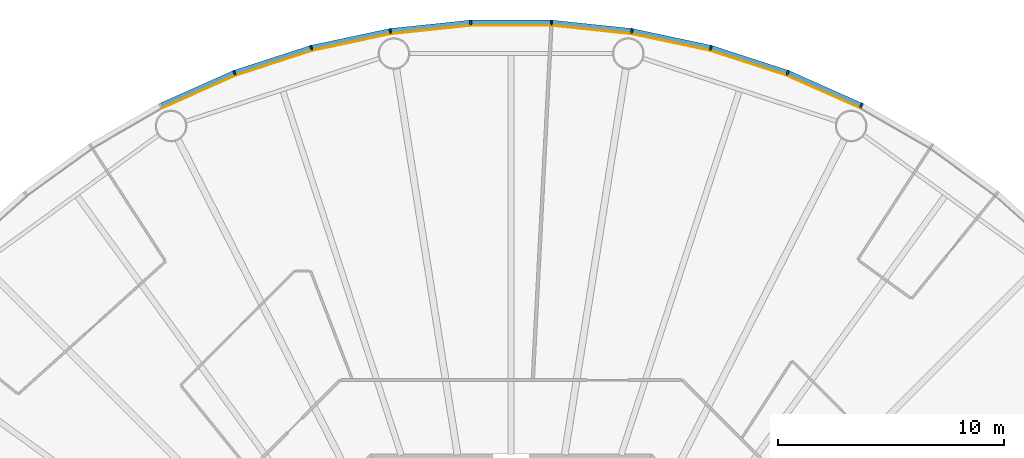
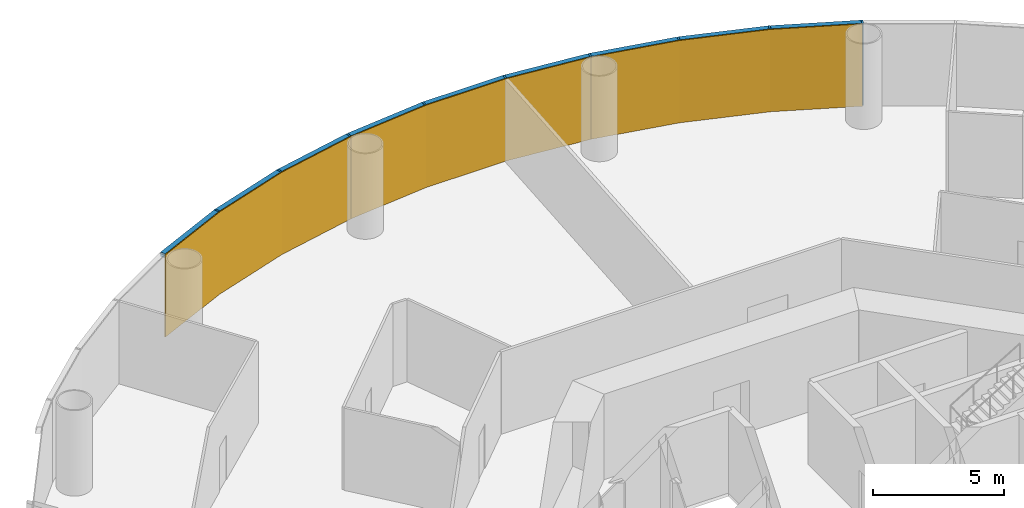
# One storey, part 12 of 13: 18 members, 3 curtain walls.
"""IFC4 building model written with IfcOpenShell, lengths in metres."""

from ifc_helpers import new_model, si_unit, direction, frame, origin, origin_2d, place, context, subcontext, project, spatial, polyline, rectangle, outline, extrude, material, layer, layer_set, material_profile, profile_set, type_object, element, aggregate, save


model = new_model("IFC4")

# Units and contexts
model_context = context("Model", 3, precision=1e-05, world=origin(), true_north=direction((0.0, 1.0)))
body_context = subcontext(model_context, "Body", "Model", "MODEL_VIEW")
ifc_project = project(units=[si_unit("LENGTHUNIT", "METRE"), si_unit("AREAUNIT", "SQUARE_METRE"), si_unit("VOLUMEUNIT", "CUBIC_METRE"), si_unit("PLANEANGLEUNIT", "RADIAN"), si_unit("MASSUNIT", "GRAM", prefix="KILO")], contexts=[model_context])

# Member
ifc_material_1 = material(Name="Anodised aluminium", Category="aluminium")
ifc_material_profile_1 = material_profile(ifc_material_1, rectangle(XDim=0.074951171875, YDim=0.219970703125, at=origin_2d()), Name="Mullion 75 x 220 mm anodised aluminium")
ifc_profile_set_1 = profile_set([ifc_material_profile_1], Name="Anodised aluminium")
member_type_1 = type_object("IfcMemberType", Name="Mullion 75 x 220 mm anodised aluminium", PredefinedType="MULLION", material=ifc_profile_set_1)
site_placement = place(None, origin())
building_placement = place(site_placement, origin())
storey_placement = place(building_placement, frame((0.0, 0.0, 58.0)))
member_1_placement = place(storey_placement, frame((105.485595703125, 110.392333984375, 0.0), z_axis=(0.0, 0.0, 1.0), x_axis=(-0.891006524188, 0.45399049974, 0.0)))
member_1 = element("IfcMember", 1, at=member_1_placement, type_object=member_type_1, Name="MULLION L12-09", PredefinedType="MULLION", context=body_context, shape_type="SweptSolid", body=[
    extrude(rectangle(XDim=0.074951171875, YDim=0.219970703125, at=origin_2d()), origin(), (0.0, 0.0, 1.0), 3.85009765625),
])

member_2_placement = place(storey_placement, frame((102.223876953125, 111.844482421875, 0.0), z_axis=(0.0, 0.0, 1.0), x_axis=(-0.933580426497, 0.358367949545, 0.0)))
member_2 = element("IfcMember", 2, at=member_2_placement, type_object=member_type_1, Name="MULLION L12-10", PredefinedType="MULLION", context=body_context, shape_type="SweptSolid", body=[
    extrude(rectangle(XDim=0.074951171875, YDim=0.219970703125, at=origin_2d()), origin(), (0.0, 0.0, 1.0), 3.85009765625),
])

member_3_placement = place(storey_placement, frame((98.828369140625, 112.94775390625, 0.0), z_axis=(0.0, 0.0, 1.0), x_axis=(-0.965925826289, 0.258819045103, 0.0)))
member_3 = element("IfcMember", 3, at=member_3_placement, type_object=member_type_1, Name="MULLION L12-11", PredefinedType="MULLION", context=body_context, shape_type="SweptSolid", body=[
    extrude(rectangle(XDim=0.074951171875, YDim=0.219970703125, at=origin_2d()), origin(), (0.0, 0.0, 1.0), 3.85009765625),
])

member_4_placement = place(storey_placement, frame((95.3359375, 113.68994140625, 0.0), z_axis=(0.0, 0.0, 1.0), x_axis=(-0.987688340595, 0.15643446504, 0.0)))
member_4 = element("IfcMember", 4, at=member_4_placement, type_object=member_type_1, Name="MULLION L12-12", PredefinedType="MULLION", context=body_context, shape_type="SweptSolid", body=[
    extrude(rectangle(XDim=0.074951171875, YDim=0.219970703125, at=origin_2d()), origin(), (0.0, 0.0, 1.0), 3.85009765625),
])

member_5_placement = place(storey_placement, frame((91.78515625, 114.063232421875, 0.0), z_axis=(0.0, 0.0, 1.0), x_axis=(-0.998629534755, 0.052335956243, 0.0)))
member_5 = element("IfcMember", 5, at=member_5_placement, type_object=member_type_1, Name="MULLION L12-13", PredefinedType="MULLION", context=body_context, shape_type="SweptSolid", body=[
    extrude(rectangle(XDim=0.074951171875, YDim=0.219970703125, at=origin_2d()), origin(), (0.0, 0.0, 1.0), 3.85009765625),
])

member_6_placement = place(storey_placement, frame((88.21484375, 114.063232421875, 0.0), z_axis=(0.0, 0.0, 1.0), x_axis=(-0.998629534755, -0.052335956243, 0.0)))
member_6 = element("IfcMember", 6, at=member_6_placement, type_object=member_type_1, Name="MULLION L12-14", PredefinedType="MULLION", context=body_context, shape_type="SweptSolid", body=[
    extrude(rectangle(XDim=0.074951171875, YDim=0.219970703125, at=origin_2d()), origin(), (0.0, 0.0, 1.0), 3.85009765625),
])

member_7_placement = place(storey_placement, frame((84.6640625, 113.68994140625, 0.0), z_axis=(0.0, 0.0, 1.0), x_axis=(-0.987688340595, -0.15643446504, 0.0)))
member_7 = element("IfcMember", 7, at=member_7_placement, type_object=member_type_1, Name="MULLION L12-15", PredefinedType="MULLION", context=body_context, shape_type="SweptSolid", body=[
    extrude(rectangle(XDim=0.074951171875, YDim=0.219970703125, at=origin_2d()), origin(), (0.0, 0.0, 1.0), 3.85009765625),
])

member_8_placement = place(storey_placement, frame((81.171630859375, 112.94775390625, 0.0), z_axis=(0.0, 0.0, 1.0), x_axis=(-0.965925826289, -0.258819045103, 0.0)))
member_8 = element("IfcMember", 8, at=member_8_placement, type_object=member_type_1, Name="MULLION L12-16", PredefinedType="MULLION", context=body_context, shape_type="SweptSolid", body=[
    extrude(rectangle(XDim=0.074951171875, YDim=0.219970703125, at=origin_2d()), origin(), (0.0, 0.0, 1.0), 3.85009765625),
])

member_9_placement = place(storey_placement, frame((77.776123046875, 111.844482421875, 0.0), z_axis=(0.0, 0.0, 1.0), x_axis=(-0.933580426497, -0.358367949545, 0.0)))
member_9 = element("IfcMember", 9, at=member_9_placement, type_object=member_type_1, Name="MULLION L12-17", PredefinedType="MULLION", context=body_context, shape_type="SweptSolid", body=[
    extrude(rectangle(XDim=0.074951171875, YDim=0.219970703125, at=origin_2d()), origin(), (0.0, 0.0, 1.0), 3.85009765625),
])

ifc_material_2 = material(Name="Anodised aluminium", Category="aluminium")
ifc_material_profile_2 = material_profile(ifc_material_2, rectangle(XDim=0.219970703125, YDim=0.199951171875, at=origin_2d()), Name="Transom 200 x 220 mm anodised aluminium")
ifc_profile_set_2 = profile_set([ifc_material_profile_2], Name="Anodised aluminium")
member_type_2 = type_object("IfcMemberType", Name="Transom 200 x 220 mm anodised aluminium", PredefinedType="USERDEFINED", material=ifc_profile_set_2)
member_10_placement = place(storey_placement, frame((105.446044921875, 110.409912109375, 3.75), z_axis=(-0.913545487371, 0.406736576304, 0.0), x_axis=(-0.406736576304, -0.913545487371, 0.0)))
member_10 = element("IfcMember", 10, at=member_10_placement, type_object=member_type_2, Name="TRANSOM L12-09", ObjectType="TRANSOM", PredefinedType="USERDEFINED", context=body_context, shape_type="SweptSolid", body=[
    extrude(rectangle(XDim=0.219970703125, YDim=0.199951171875, at=origin_2d()), origin(), (0.0, 0.0, 1.0), 3.48388671875),
])

member_11_placement = place(storey_placement, frame((102.182861328125, 111.85791015625, 3.75), z_axis=(-0.951052605696, 0.309029029702, 0.0), x_axis=(-0.309029029702, -0.951052605696, 0.0)))
member_11 = element("IfcMember", 11, at=member_11_placement, type_object=member_type_2, Name="TRANSOM L12-10", ObjectType="TRANSOM", PredefinedType="USERDEFINED", context=body_context, shape_type="SweptSolid", body=[
    extrude(rectangle(XDim=0.219970703125, YDim=0.199951171875, at=origin_2d()), origin(), (0.0, 0.0, 1.0), 3.484130859375),
])

member_12_placement = place(storey_placement, frame((98.7861328125, 112.956787109375, 3.75), z_axis=(-0.978145669426, 0.207920776701, 0.0), x_axis=(-0.207920776701, -0.978145669426, 0.0)))
member_12 = element("IfcMember", 12, at=member_12_placement, type_object=member_type_2, Name="TRANSOM L12-11", ObjectType="TRANSOM", PredefinedType="USERDEFINED", context=body_context, shape_type="SweptSolid", body=[
    extrude(rectangle(XDim=0.219970703125, YDim=0.199951171875, at=origin_2d()), origin(), (0.0, 0.0, 1.0), 3.48388671875),
])

member_13_placement = place(storey_placement, frame((95.29296875, 113.69482421875, 3.75), z_axis=(-0.994526551648, 0.104484152234, 0.0), x_axis=(-0.104484152234, -0.994526551648, 0.0)))
member_13 = element("IfcMember", 13, at=member_13_placement, type_object=member_type_2, Name="TRANSOM L12-12", ObjectType="TRANSOM", PredefinedType="USERDEFINED", context=body_context, shape_type="SweptSolid", body=[
    extrude(rectangle(XDim=0.219970703125, YDim=0.199951171875, at=origin_2d()), origin(), (0.0, 0.0, 1.0), 3.48388671875),
])

member_14_placement = place(storey_placement, frame((91.741943359375, 114.0634765625, 3.75), z_axis=(-1.0, 0.0, 0.0), x_axis=(0.0, -1.0, 0.0)))
member_14 = element("IfcMember", 14, at=member_14_placement, type_object=member_type_2, Name="TRANSOM L12-13", ObjectType="TRANSOM", PredefinedType="USERDEFINED", context=body_context, shape_type="SweptSolid", body=[
    extrude(rectangle(XDim=0.219970703125, YDim=0.199951171875, at=origin_2d()), origin(), (0.0, 0.0, 1.0), 3.48388671875),
])

member_15_placement = place(storey_placement, frame((88.171875, 114.058837890625, 3.75), z_axis=(-0.994526551648, -0.104484152234, 0.0), x_axis=(0.104484152234, -0.994526551648, 0.0)))
member_15 = element("IfcMember", 15, at=member_15_placement, type_object=member_type_2, Name="TRANSOM L12-14", ObjectType="TRANSOM", PredefinedType="USERDEFINED", context=body_context, shape_type="SweptSolid", body=[
    extrude(rectangle(XDim=0.219970703125, YDim=0.199951171875, at=origin_2d()), origin(), (0.0, 0.0, 1.0), 3.48388671875),
])

member_16_placement = place(storey_placement, frame((84.62158203125, 113.68115234375, 3.75), z_axis=(-0.978145669426, -0.207920776701, 0.0), x_axis=(0.207920776701, -0.978145669426, 0.0)))
member_16 = element("IfcMember", 16, at=member_16_placement, type_object=member_type_2, Name="TRANSOM L12-15", ObjectType="TRANSOM", PredefinedType="USERDEFINED", context=body_context, shape_type="SweptSolid", body=[
    extrude(rectangle(XDim=0.219970703125, YDim=0.199951171875, at=origin_2d()), origin(), (0.0, 0.0, 1.0), 3.48388671875),
])

member_17_placement = place(storey_placement, frame((81.130615234375, 112.9345703125, 3.75), z_axis=(-0.951052605696, -0.309029029702, 0.0), x_axis=(0.309029029702, -0.951052605696, 0.0)))
member_17 = element("IfcMember", 17, at=member_17_placement, type_object=member_type_2, Name="TRANSOM L12-16", ObjectType="TRANSOM", PredefinedType="USERDEFINED", context=body_context, shape_type="SweptSolid", body=[
    extrude(rectangle(XDim=0.219970703125, YDim=0.199951171875, at=origin_2d()), origin(), (0.0, 0.0, 1.0), 3.484130859375),
])

member_18_placement = place(storey_placement, frame((77.736572265625, 111.826904296875, 3.75), z_axis=(-0.913545487371, -0.406736576304, 0.0), x_axis=(0.406736576304, -0.913545487371, 0.0)))
member_18 = element("IfcMember", 18, at=member_18_placement, type_object=member_type_2, Name="TRANSOM L12-17", ObjectType="TRANSOM", PredefinedType="USERDEFINED", context=body_context, shape_type="SweptSolid", body=[
    extrude(rectangle(XDim=0.219970703125, YDim=0.199951171875, at=origin_2d()), origin(), (0.0, 0.0, 1.0), 3.48388671875),
])

# Site, building, storey
site = spatial("IfcSite", under=ifc_project, at=site_placement, CompositionType="ELEMENT")
building = spatial("IfcBuilding", under=site, at=building_placement, Name="Entoto Ring Tower", CompositionType="ELEMENT")
storey = spatial("IfcBuildingStorey", under=building, at=storey_placement, Name="L12", CompositionType="ELEMENT", Elevation=58.0)

# Curtain wall
ifc_material_3 = material(Name="Clear low-iron glass", Category="glass")
ifc_layer = layer(ifc_material_3, 0.0400390625)
ifc_layer_set = layer_set([ifc_layer], Name="Clear low-iron glass")
curtain_wall_type = type_object("IfcCurtainWallType", Name="Curtain wall system CW1 glazing 40 mm", PredefinedType="NOTDEFINED", material=ifc_layer_set)
curtain_wall_1_placement = place(storey_placement, origin())
curtain_wall_1 = element("IfcCurtainWall", 19, at=curtain_wall_1_placement, inside=storey, type_object=curtain_wall_type, Name="CW1 L12-04", PredefinedType="NOTDEFINED", context=body_context, shape_type="SweptSolid", body=[
    extrude(outline(polyline([(105.435791015625, 110.294189453125), (102.1845703125, 111.74169921875), (98.7998046875, 112.841552734375), (95.31884765625, 113.581298828125), (95.3125, 113.541748046875), (98.78955078125, 112.802734375), (102.170166015625, 111.704345703125), (105.41748046875, 110.258544921875), (105.435791015625, 110.294189453125)])), origin(), (0.0, 0.0, 1.0), 3.85009765625),
])

aggregate(curtain_wall_1, [member_1, member_2, member_3, member_10, member_11, member_12])

curtain_wall_2_placement = place(storey_placement, origin())
curtain_wall_2 = element("IfcCurtainWall", 20, at=curtain_wall_2_placement, inside=storey, type_object=curtain_wall_type, Name="CW1 L12-05", PredefinedType="NOTDEFINED", context=body_context, shape_type="SweptSolid", body=[
    extrude(outline(polyline([(95.31884765625, 113.581298828125), (91.779541015625, 113.953369140625), (88.220458984375, 113.953369140625), (84.68115234375, 113.581298828125), (84.6875, 113.541748046875), (88.22265625, 113.913330078125), (91.77734375, 113.913330078125), (95.3125, 113.541748046875), (95.31884765625, 113.581298828125)])), origin(), (0.0, 0.0, 1.0), 3.85009765625),
])

aggregate(curtain_wall_2, [member_4, member_5, member_6, member_13, member_14, member_15])

curtain_wall_3_placement = place(storey_placement, origin())
curtain_wall_3 = element("IfcCurtainWall", 21, at=curtain_wall_3_placement, inside=storey, type_object=curtain_wall_type, Name="CW1 L12-06", PredefinedType="NOTDEFINED", context=body_context, shape_type="SweptSolid", body=[
    extrude(outline(polyline([(84.68115234375, 113.581298828125), (81.2001953125, 112.841552734375), (77.8154296875, 111.74169921875), (74.564208984375, 110.294189453125), (74.58251953125, 110.258544921875), (77.829833984375, 111.704345703125), (81.21044921875, 112.802734375), (84.6875, 113.541748046875), (84.68115234375, 113.581298828125)])), origin(), (0.0, 0.0, 1.0), 3.85009765625),
])

aggregate(curtain_wall_3, [member_7, member_8, member_9, member_16, member_17, member_18])

save(model, "model.ifc")
